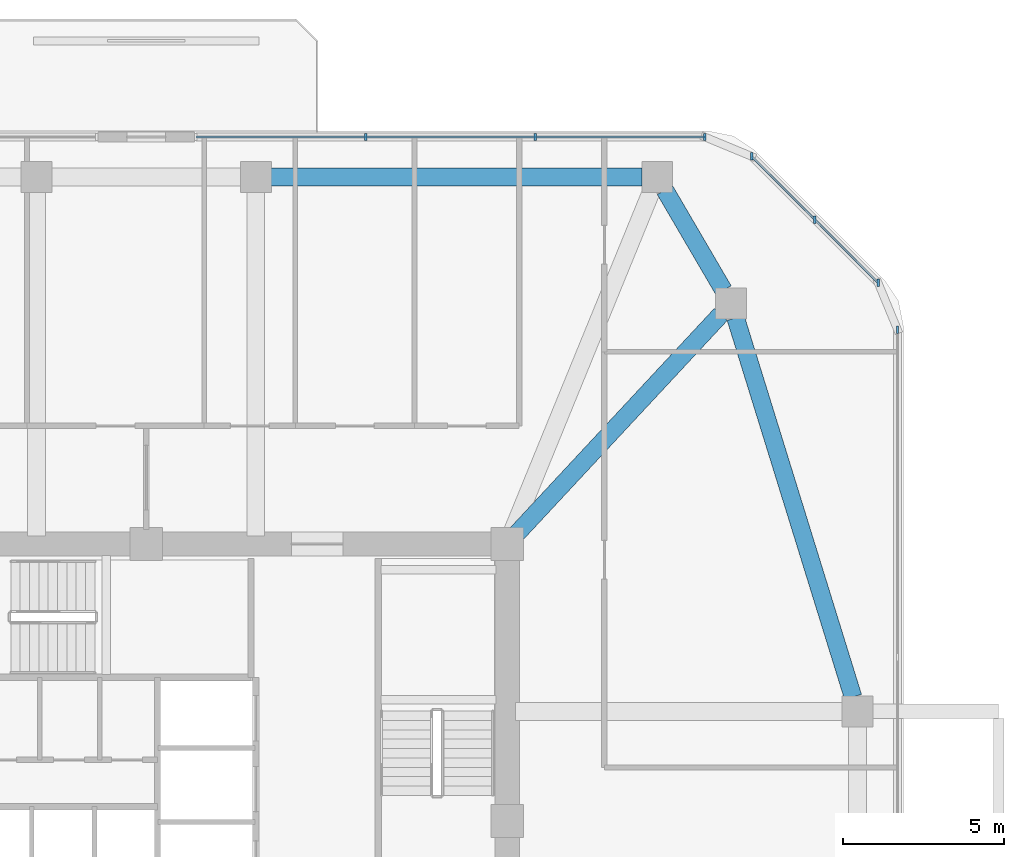
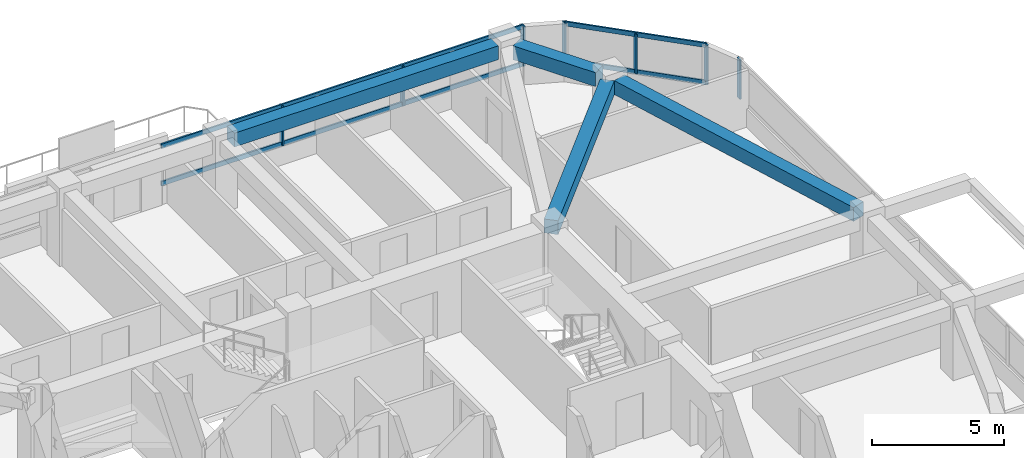
# One storey, part 5 of 12: 11 members, 4 beams, 3 elements without a shape of their own.
"""IFC4 building model written with IfcOpenShell, lengths in metres."""

from ifc_helpers import new_model, si_unit, derived_unit, direction, frame, origin, origin_2d, place, context, subcontext, project, spatial, rectangle, extrude, material, material_profile, profile_set, type_object, element, aggregate, save


model = new_model("IFC4")

# Units and contexts
model_context = context("Model", 3, precision=1e-05, world=origin(), true_north=direction((0.0, 1.0)))
body_context = subcontext(model_context, "Body", "Model", "MODEL_VIEW")
ifc_project = project(units=[si_unit("LENGTHUNIT", "METRE"), si_unit("AREAUNIT", "SQUARE_METRE"), si_unit("VOLUMEUNIT", "CUBIC_METRE"), si_unit("PLANEANGLEUNIT", "RADIAN"), si_unit("MASSUNIT", "GRAM", prefix="KILO"), derived_unit("THERMALTRANSMITTANCEUNIT", [(si_unit("POWERUNIT", "WATT"), 1), (si_unit("LENGTHUNIT", "METRE"), -2), (si_unit("THERMODYNAMICTEMPERATUREUNIT", "KELVIN"), -1)])], contexts=[model_context])

# Site, building, storey
site_placement = place(None, origin())
site = spatial("IfcSite", under=ifc_project, at=site_placement, CompositionType="ELEMENT")
building_placement = place(site_placement, origin())
building = spatial("IfcBuilding", under=site, at=building_placement, Name="Koralith Skygarden Medical Center", CompositionType="ELEMENT")
storey_placement = place(building_placement, frame((0.0, 0.0, 152.820068359375)))
storey = spatial("IfcBuildingStorey", under=building, at=storey_placement, Name="L39", CompositionType="ELEMENT", Elevation=152.820068359375)

# Curtain wall, member
ifc_material_1 = material(Name="Clear Laminated Glass", Category="glass")
curtain_wall_type = type_object("IfcCurtainWallType", Name="CW-4 Zone 3 Waist High-Wind Curtain Wall", PredefinedType="NOTDEFINED", material=ifc_material_1)
curtain_wall_1_placement = place(storey_placement, origin())
curtain_wall_1 = element("IfcCurtainWall", 1, at=curtain_wall_1_placement, inside=storey, type_object=curtain_wall_type, Name="Curtain Wall CW-L39-E", PredefinedType="NOTDEFINED")
ifc_material_2 = material(Name="Aluminium 6063-T6", Category="aluminium")
ifc_material_profile_1 = material_profile(ifc_material_2, rectangle(XDim=0.076904296875, YDim=0.22998046875, at=origin_2d()), Name="MUL77X230")
ifc_profile_set_1 = profile_set([ifc_material_profile_1], Name="Aluminium 6063-T6")
member_type_1 = type_object("IfcMemberType", Name="CW-4 Extruded Mullion 77x230", PredefinedType="MULLION", material=ifc_profile_set_1)
member_1_placement = place(storey_placement, frame((60.303955078125, 41.14501953125, 0.849853515625), z_axis=(0.0, 0.0, 1.0), x_axis=(1.0, 0.0, 0.0)))
member_1 = element("IfcMember", 2, at=member_1_placement, type_object=member_type_1, Name="CW-L39-E Mullion 4", PredefinedType="MULLION", context=body_context, shape_type="SweptSolid", body=[
    extrude(rectangle(XDim=0.076904296875, YDim=0.22998046875, at=origin_2d()), origin(), (0.0, 0.0, 1.0), 1.820068359375),
])
aggregate(curtain_wall_1, [member_1])

# Curtain wall, members
curtain_wall_2_placement = place(storey_placement, origin())
curtain_wall_2 = element("IfcCurtainWall", 3, at=curtain_wall_2_placement, inside=storey, type_object=curtain_wall_type, Name="Curtain Wall CW-L39-NE", PredefinedType="NOTDEFINED")
member_2_placement = place(storey_placement, frame((59.702880859375, 42.595947265625, 0.849853515625), z_axis=(0.0, 0.0, 1.0), x_axis=(1.0, 0.0, 0.0)))
member_2 = element("IfcMember", 4, at=member_2_placement, type_object=member_type_1, Name="CW-L39-NE Mullion 1", PredefinedType="MULLION", context=body_context, shape_type="SweptSolid", body=[
    extrude(rectangle(XDim=0.076904296875, YDim=0.22998046875, at=origin_2d()), origin(), (0.0, 0.0, 1.0), 1.820068359375),
])
member_3_placement = place(storey_placement, frame((57.741943359375, 44.556884765625, 0.849853515625), z_axis=(0.0, 0.0, 1.0), x_axis=(1.0, 0.0, 0.0)))
member_3 = element("IfcMember", 5, at=member_3_placement, type_object=member_type_1, Name="CW-L39-NE Mullion 2", PredefinedType="MULLION", context=body_context, shape_type="SweptSolid", body=[
    extrude(rectangle(XDim=0.076904296875, YDim=0.22998046875, at=origin_2d()), origin(), (0.0, 0.0, 1.0), 1.820068359375),
])
member_4_placement = place(storey_placement, frame((55.780029296875, 46.51904296875, 0.849853515625), z_axis=(0.0, 0.0, 1.0), x_axis=(1.0, 0.0, 0.0)))
member_4 = element("IfcMember", 6, at=member_4_placement, type_object=member_type_1, Name="CW-L39-NE Mullion 3", PredefinedType="MULLION", context=body_context, shape_type="SweptSolid", body=[
    extrude(rectangle(XDim=0.076904296875, YDim=0.22998046875, at=origin_2d()), origin(), (0.0, 0.0, 1.0), 1.820068359375),
])

curtain_wall_3_placement = place(storey_placement, origin())
curtain_wall_3 = element("IfcCurtainWall", 7, at=curtain_wall_3_placement, inside=storey, type_object=curtain_wall_type, Name="Curtain Wall CW-L39-N-L", PredefinedType="NOTDEFINED")
member_5_placement = place(storey_placement, frame((54.3291015625, 47.1201171875, 0.849853515625), z_axis=(0.0, 0.0, 1.0), x_axis=(1.0, 0.0, 0.0)))
member_5 = element("IfcMember", 8, at=member_5_placement, type_object=member_type_1, Name="CW-L39-N-L Mullion 1", PredefinedType="MULLION", context=body_context, shape_type="SweptSolid", body=[
    extrude(rectangle(XDim=0.076904296875, YDim=0.22998046875, at=origin_2d()), origin(), (0.0, 0.0, 1.0), 1.820068359375),
])
member_6_placement = place(storey_placement, frame((49.06591796875, 47.1201171875, 0.849853515625), z_axis=(0.0, 0.0, 1.0), x_axis=(1.0, 0.0, 0.0)))
member_6 = element("IfcMember", 9, at=member_6_placement, type_object=member_type_1, Name="CW-L39-N-L Mullion 2", PredefinedType="MULLION", context=body_context, shape_type="SweptSolid", body=[
    extrude(rectangle(XDim=0.076904296875, YDim=0.22998046875, at=origin_2d()), origin(), (0.0, 0.0, 1.0), 1.820068359375),
])
member_7_placement = place(storey_placement, frame((43.803955078125, 47.1201171875, 0.849853515625), z_axis=(0.0, 0.0, 1.0), x_axis=(1.0, 0.0, 0.0)))
member_7 = element("IfcMember", 10, at=member_7_placement, type_object=member_type_1, Name="CW-L39-N-L Mullion 3", PredefinedType="MULLION", context=body_context, shape_type="SweptSolid", body=[
    extrude(rectangle(XDim=0.076904296875, YDim=0.22998046875, at=origin_2d()), origin(), (0.0, 0.0, 1.0), 1.820068359375),
])

# Member
ifc_material_profile_2 = material_profile(ifc_material_2, rectangle(XDim=0.072021484375, YDim=0.20703125, at=origin_2d()), Name="TRN72X207")
ifc_profile_set_2 = profile_set([ifc_material_profile_2], Name="Aluminium 6063-T6")
member_type_2 = type_object("IfcMemberType", Name="CW-4 Thermal Transom 72x207", PredefinedType="USERDEFINED", material=ifc_profile_set_2)
member_8_placement = place(storey_placement, frame((59.702880859375, 42.595947265625, 0.89990234375), z_axis=(-0.707084777957, 0.707128783731, 0.0), x_axis=(-0.707128783731, -0.707084777957, 0.0)))
member_8 = element("IfcMember", 11, at=member_8_placement, type_object=member_type_2, Name="CW-L39-NE Transom 1", ObjectType="TRANSOM", PredefinedType="USERDEFINED", context=body_context, shape_type="SweptSolid", body=[
    extrude(rectangle(XDim=0.072021484375, YDim=0.20703125, at=origin_2d()), origin(), (0.0, 0.0, 1.0), 5.5478515625),
])

member_9_placement = place(storey_placement, frame((59.702880859375, 42.595947265625, 2.619873046875), z_axis=(-0.707084777957, 0.707128783731, 0.0), x_axis=(-0.707128783731, -0.707084777957, 0.0)))
member_9 = element("IfcMember", 12, at=member_9_placement, type_object=member_type_2, Name="CW-L39-NE Transom 2", ObjectType="TRANSOM", PredefinedType="USERDEFINED", context=body_context, shape_type="SweptSolid", body=[
    extrude(rectangle(XDim=0.072021484375, YDim=0.20703125, at=origin_2d()), origin(), (0.0, 0.0, 1.0), 5.5478515625),
])

aggregate(curtain_wall_2, [member_2, member_3, member_4, member_8, member_9])

member_10_placement = place(storey_placement, frame((54.3291015625, 47.1201171875, 0.89990234375), z_axis=(-1.0, 0.0, 0.0), x_axis=(0.0, -1.0, 0.0)))
member_10 = element("IfcMember", 13, at=member_10_placement, type_object=member_type_2, Name="CW-L39-N-L Transom 1", ObjectType="TRANSOM", PredefinedType="USERDEFINED", context=body_context, shape_type="SweptSolid", body=[
    extrude(rectangle(XDim=0.072021484375, YDim=0.20703125, at=origin_2d()), origin(), (0.0, 0.0, 1.0), 15.7880859375),
])

member_11_placement = place(storey_placement, frame((54.3291015625, 47.1201171875, 2.619873046875), z_axis=(-1.0, 0.0, 0.0), x_axis=(0.0, -1.0, 0.0)))
member_11 = element("IfcMember", 14, at=member_11_placement, type_object=member_type_2, Name="CW-L39-N-L Transom 2", ObjectType="TRANSOM", PredefinedType="USERDEFINED", context=body_context, shape_type="SweptSolid", body=[
    extrude(rectangle(XDim=0.072021484375, YDim=0.20703125, at=origin_2d()), origin(), (0.0, 0.0, 1.0), 15.7880859375),
])

aggregate(curtain_wall_3, [member_5, member_6, member_7, member_10, member_11])

# Beams
ifc_material_3 = material(Name="Concrete C45/55", Category="concrete")
ifc_material_profile_3 = material_profile(ifc_material_3, rectangle(XDim=0.550048828125, YDim=0.639892578125, at=origin_2d()), Name="RCB550X640")
ifc_profile_set_3 = profile_set([ifc_material_profile_3], Name="Concrete C45/55")
beam_type_1 = type_object("IfcBeamType", Name="Radial Collector Beam RCB550X640", PredefinedType="BEAM", material=ifc_profile_set_3)
beam_1_placement = place(storey_placement, frame((48.3701171875, 34.68310546875, 3.0), z_axis=(0.681369011591, 0.731940072713, 0.0), x_axis=(-0.731940072713, 0.681369011591, 0.0)))
element("IfcBeam", 15, at=beam_1_placement, inside=storey, type_object=beam_type_1, Name="L39 Radial Collector Beam RB-10", PredefinedType="BEAM", context=body_context, shape_type="SweptSolid", body=[
    extrude(rectangle(XDim=0.550048828125, YDim=0.639892578125, at=origin_2d()), origin(), (0.0, 0.0, 1.0), 9.471923828125),
])
ifc_material_profile_4 = material_profile(ifc_material_3, rectangle(XDim=0.550048828125, YDim=0.639892578125, at=origin_2d()), Name="RCB550X640")
ifc_profile_set_4 = profile_set([ifc_material_profile_4], Name="Concrete C45/55")
beam_type_2 = type_object("IfcBeamType", Name="Zone 2-3 Spandrel Beam RCB550X640", PredefinedType="SPANDREL", material=ifc_profile_set_4)
beam_2_placement = place(storey_placement, frame((58.925048828125, 29.7490234375, 3.0), z_axis=(-0.295793585147, 0.955251880389, 0.0), x_axis=(-0.955251880389, -0.295793585147, 0.0)))
element("IfcBeam", 16, at=beam_2_placement, inside=storey, type_object=beam_type_2, Name="L39 Perimeter Spandrel Beam SP-09", PredefinedType="SPANDREL", context=body_context, shape_type="SweptSolid", body=[
    extrude(rectangle(XDim=0.550048828125, YDim=0.639892578125, at=origin_2d()), origin(), (0.0, 0.0, 1.0), 12.31298828125),
])
beam_3_placement = place(storey_placement, frame((54.906982421875, 42.365966796875, 3.0), z_axis=(-0.504861391295, 0.863200426077, 0.0), x_axis=(-0.863200426077, -0.504861391295, 0.0)))
element("IfcBeam", 17, at=beam_3_placement, inside=storey, type_object=beam_type_2, Name="L39 Perimeter Spandrel Beam SP-10", PredefinedType="SPANDREL", context=body_context, shape_type="SweptSolid", body=[
    extrude(rectangle(XDim=0.550048828125, YDim=0.639892578125, at=origin_2d()), origin(), (0.0, 0.0, 1.0), 3.600830078125),
])
beam_4_placement = place(storey_placement, frame((52.382080078125, 45.8798828125, 3.0), z_axis=(-1.0, 0.0, 0.0), x_axis=(0.0, -1.0, 0.0)))
element("IfcBeam", 18, at=beam_4_placement, inside=storey, type_object=beam_type_2, Name="L39 Perimeter Spandrel Beam SP-11", PredefinedType="SPANDREL", context=body_context, shape_type="SweptSolid", body=[
    extrude(rectangle(XDim=0.550048828125, YDim=0.639892578125, at=origin_2d()), origin(), (0.0, 0.0, 1.0), 11.511962890625),
])

save(model, "model.ifc")
